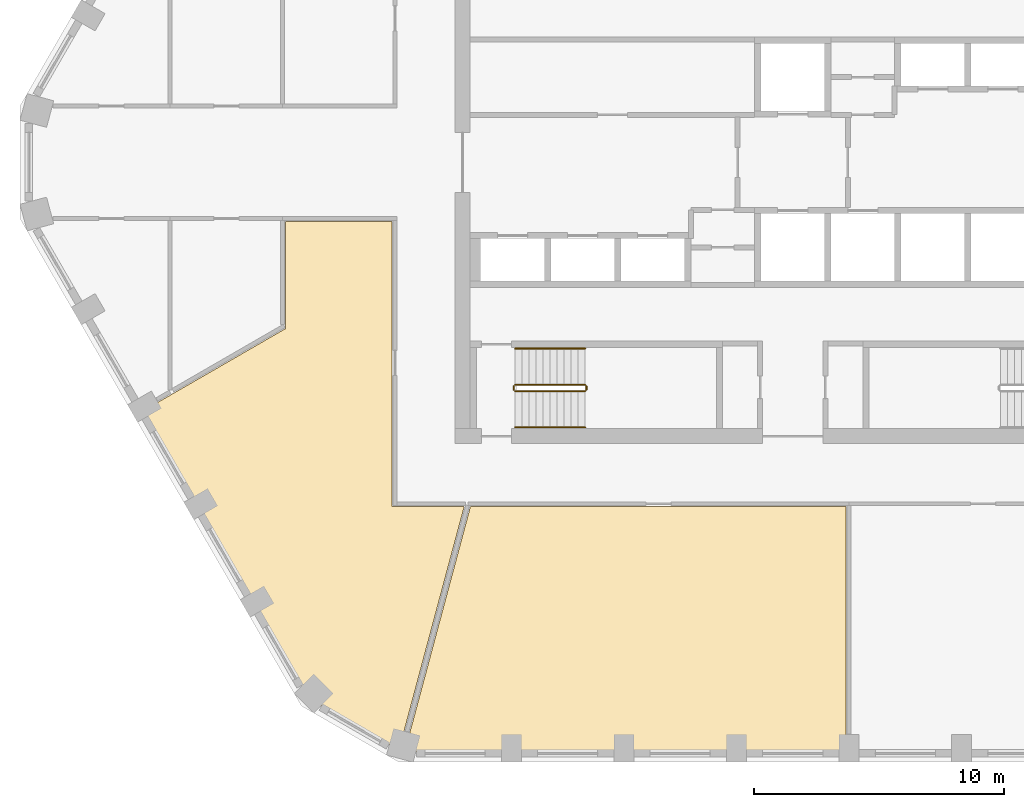
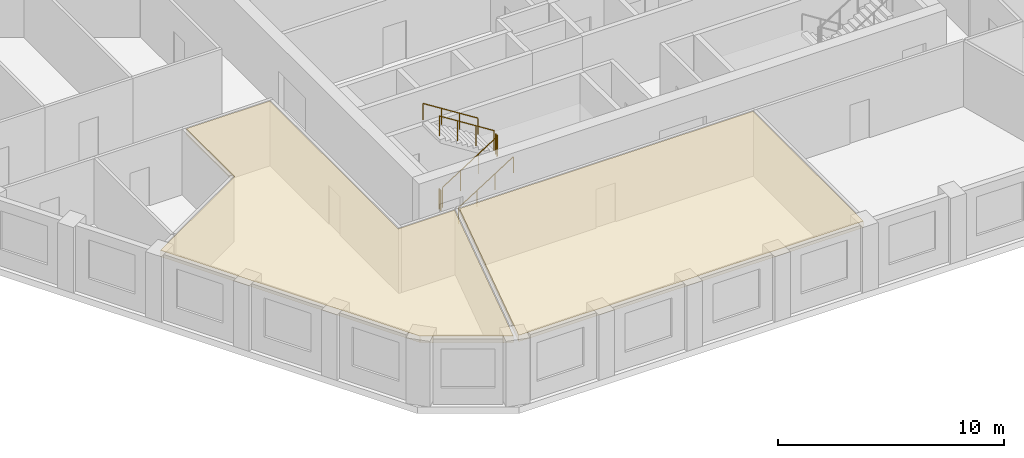
# One storey, part 8 of 11: 6 railings, 2 coverings.
"""IFC4 building model written with IfcOpenShell, lengths in metres."""

from ifc_helpers import new_model, si_unit, direction, frame, origin, origin_2d, place, context, subcontext, project, spatial, polyline, circle, outline, extrude, material, layer, layer_set, type_object, element, save


model = new_model("IFC4")

# Units and contexts
model_context = context("Model", 3, precision=1e-05, world=origin(), true_north=direction((0.0, 1.0)))
body_context = subcontext(model_context, "Body", "Model", "MODEL_VIEW")
ifc_project = project(units=[si_unit("LENGTHUNIT", "METRE"), si_unit("AREAUNIT", "SQUARE_METRE"), si_unit("VOLUMEUNIT", "CUBIC_METRE"), si_unit("PLANEANGLEUNIT", "RADIAN"), si_unit("MASSUNIT", "GRAM", prefix="KILO")], contexts=[model_context])

# Site, building, storey
site_placement = place(None, origin())
site = spatial("IfcSite", under=ifc_project, at=site_placement, CompositionType="ELEMENT")
building_placement = place(site_placement, origin())
building = spatial("IfcBuilding", under=site, at=building_placement, Name="Dhurran Vertical Campus", CompositionType="ELEMENT")
storey_placement = place(building_placement, frame((0.0, 0.0, 211.199951171875)))
storey = spatial("IfcBuildingStorey", under=building, at=storey_placement, Name="L52", CompositionType="ELEMENT", Elevation=211.199951171875)

# Railings
ifc_material_1 = material(Name="Stainless steel balustrade", Category="steel")
railing_type_1 = type_object("IfcRailingType", Name="co-RL-GUARD-1100", PredefinedType="GUARDRAIL", material=ifc_material_1)
railing_1_placement = place(storey_placement, frame((-11.10009765625, -9.14990234375, 0.17724609375)))
element("IfcRailing", 1, at=railing_1_placement, inside=storey, type_object=railing_type_1, Name="L52 ST3 stair guard 1", PredefinedType="GUARDRAIL", context=body_context, shape_type="SweptSolid", body=[
    extrude(circle(Radius=0.02392578125, at=origin_2d()), frame((0.0, 0.0, 1.076171875), z_axis=(0.844908973607, 0.0, 0.534910110503), x_axis=(0.0, 1.0, 0.0)), (0.0, 0.0, 1.0), 3.31396484375),
    extrude(circle(Radius=0.02099609375, at=origin_2d()), origin(), (0.0, 0.0, 1.0), 1.052001953125),
    extrude(circle(Radius=0.02099609375, at=origin_2d()), frame((0.933349609375, 0.0, 0.5908203125)), (0.0, 0.0, 1.0), 1.052001953125),
    extrude(circle(Radius=0.02099609375, at=origin_2d()), frame((1.86669921875, 0.0, 1.181884765625)), (0.0, 0.0, 1.0), 1.052001953125),
    extrude(circle(Radius=0.02099609375, at=origin_2d()), frame((2.800048828125, 0.0, 1.772705078125)), (0.0, 0.0, 1.0), 1.052001953125),
])
railing_2_placement = place(storey_placement, frame((-8.25, -9.10009765625, 1.949951171875)))
element("IfcRailing", 2, at=railing_2_placement, inside=storey, type_object=railing_type_1, Name="L52 ST3 stair guard 2", PredefinedType="GUARDRAIL", context=body_context, shape_type="SweptSolid", body=[
    extrude(circle(Radius=0.02392578125, at=origin_2d()), frame((0.0, 0.0, 1.076171875), z_axis=(0.0, 1.0, 0.0), x_axis=(-1.0, 0.0, 0.0)), (0.0, 0.0, 1.0), 0.150146484375),
    extrude(circle(Radius=0.02099609375, at=origin_2d()), origin(), (0.0, 0.0, 1.0), 1.052001953125),
    extrude(circle(Radius=0.02099609375, at=origin_2d()), frame((0.0, 0.150146484375, 0.0)), (0.0, 0.0, 1.0), 1.052001953125),
])
railing_3_placement = place(storey_placement, frame((-8.300048828125, -8.89990234375, 2.12744140625)))
element("IfcRailing", 3, at=railing_3_placement, inside=storey, type_object=railing_type_1, Name="L52 ST3 stair guard 3", PredefinedType="GUARDRAIL", context=body_context, shape_type="SweptSolid", body=[
    extrude(circle(Radius=0.02392578125, at=origin_2d()), frame((0.0, 0.0, 1.076171875), z_axis=(-0.844908973607, 0.0, 0.534910110503), x_axis=(0.0, -1.0, 0.0)), (0.0, 0.0, 1.0), 3.31396484375),
    extrude(circle(Radius=0.02099609375, at=origin_2d()), origin(), (0.0, 0.0, 1.0), 1.052001953125),
    extrude(circle(Radius=0.02099609375, at=origin_2d()), frame((-0.933349609375, 0.0, 0.5908203125)), (0.0, 0.0, 1.0), 1.052001953125),
    extrude(circle(Radius=0.02099609375, at=origin_2d()), frame((-1.86669921875, 0.0, 1.181884765625)), (0.0, 0.0, 1.0), 1.052001953125),
    extrude(circle(Radius=0.02099609375, at=origin_2d()), frame((-2.800048828125, 0.0, 1.772705078125)), (0.0, 0.0, 1.0), 1.052001953125),
])
railing_4_placement = place(storey_placement, frame((-11.14990234375, -9.10009765625, 0.0)))
element("IfcRailing", 4, at=railing_4_placement, inside=storey, type_object=railing_type_1, Name="L52 ST3 stair guard 4", PredefinedType="GUARDRAIL", context=body_context, shape_type="SweptSolid", body=[
    extrude(circle(Radius=0.02392578125, at=origin_2d()), frame((0.0, 0.0, 1.076171875), z_axis=(0.0, 1.0, 0.0), x_axis=(-1.0, 0.0, 0.0)), (0.0, 0.0, 1.0), 0.150146484375),
    extrude(circle(Radius=0.02099609375, at=origin_2d()), origin(), (0.0, 0.0, 1.0), 1.052001953125),
    extrude(circle(Radius=0.02099609375, at=origin_2d()), frame((0.0, 0.150146484375, 0.0)), (0.0, 0.0, 1.0), 1.052001953125),
])
ifc_material_2 = material(Name="Stainless steel handrail", Category="steel")
railing_type_2 = type_object("IfcRailingType", Name="co-RL-HANDRAIL-900", PredefinedType="HANDRAIL", material=ifc_material_2)
railing_5_placement = place(storey_placement, frame((-11.10009765625, -10.60009765625, 0.17724609375)))
element("IfcRailing", 5, at=railing_5_placement, inside=storey, type_object=railing_type_2, Name="L52 ST3 stair handrail 1", PredefinedType="HANDRAIL", context=body_context, shape_type="SweptSolid", body=[
    extrude(circle(Radius=0.02392578125, at=origin_2d()), frame((0.0, 0.0, 0.8759765625), z_axis=(0.844908973607, 0.0, 0.534910110503), x_axis=(0.0, 1.0, 0.0)), (0.0, 0.0, 1.0), 3.31396484375),
    extrude(circle(Radius=0.02099609375, at=origin_2d()), origin(), (0.0, 0.0, 1.0), 0.851806640625),
    extrude(circle(Radius=0.02099609375, at=origin_2d()), frame((0.933349609375, 0.0, 0.5908203125)), (0.0, 0.0, 1.0), 0.851806640625),
    extrude(circle(Radius=0.02099609375, at=origin_2d()), frame((1.86669921875, 0.0, 1.181884765625)), (0.0, 0.0, 1.0), 0.851806640625),
    extrude(circle(Radius=0.02099609375, at=origin_2d()), frame((2.800048828125, 0.0, 1.772705078125)), (0.0, 0.0, 1.0), 0.851806640625),
])
railing_6_placement = place(storey_placement, frame((-8.300048828125, -7.449951171875, 2.12744140625)))
element("IfcRailing", 6, at=railing_6_placement, inside=storey, type_object=railing_type_2, Name="L52 ST3 stair handrail 2", PredefinedType="HANDRAIL", context=body_context, shape_type="SweptSolid", body=[
    extrude(circle(Radius=0.02392578125, at=origin_2d()), frame((0.0, 0.0, 0.8759765625), z_axis=(-0.844908973607, 0.0, 0.534910110503), x_axis=(0.0, -1.0, 0.0)), (0.0, 0.0, 1.0), 3.31396484375),
    extrude(circle(Radius=0.02099609375, at=origin_2d()), origin(), (0.0, 0.0, 1.0), 0.851806640625),
    extrude(circle(Radius=0.02099609375, at=origin_2d()), frame((-0.933349609375, 0.0, 0.5908203125)), (0.0, 0.0, 1.0), 0.851806640625),
    extrude(circle(Radius=0.02099609375, at=origin_2d()), frame((-1.86669921875, 0.0, 1.181884765625)), (0.0, 0.0, 1.0), 0.851806640625),
    extrude(circle(Radius=0.02099609375, at=origin_2d()), frame((-2.800048828125, 0.0, 1.772705078125)), (0.0, 0.0, 1.0), 0.851806640625),
])

# Coverings
ifc_material_3 = material(Name="Mineral fibre ceiling tiles on suspended grid")
ifc_layer = layer(ifc_material_3, 0.35009765625)
ifc_layer_set = layer_set([ifc_layer], Name="Mineral fibre ceiling tiles on suspended grid")
covering_type = type_object("IfcCoveringType", Name="fl-CE-350 suspended ceiling", PredefinedType="CEILING", material=ifc_layer_set)
covering_1_placement = place(storey_placement, frame((0.0, 0.0, 3.199951171875)))
element("IfcCovering", 7, at=covering_1_placement, inside=storey, type_object=covering_type, Name="Ceiling 52-07", PredefinedType="CEILING", context=body_context, shape_type="SweptSolid", body=[
    extrude(outline(polyline([(-19.339111328125, -21.427978515625), (-25.972900390625, -9.93798828125), (-20.280029296875, -6.65087890625), (-20.280029296875, -2.3701171875), (-16.02001953125, -2.3701171875), (-16.02001953125, -13.77001953125), (-13.136962890625, -13.77001953125), (-15.7451171875, -23.50390625), (-19.339111328125, -21.427978515625)])), origin(), (0.0, 0.0, 1.0), 0.35009765625),
])
covering_2_placement = place(storey_placement, frame((0.0, 0.0, 3.199951171875)))
element("IfcCovering", 8, at=covering_2_placement, inside=storey, type_object=covering_type, Name="Ceiling 52-11", PredefinedType="CEILING", context=body_context, shape_type="SweptSolid", body=[
    extrude(outline(polyline([(2.1298828125, -23.56591796875), (-15.513916015625, -23.56591796875), (-12.888916015625, -13.77001953125), (2.1298828125, -13.77001953125), (2.1298828125, -23.56591796875)])), origin(), (0.0, 0.0, 1.0), 0.35009765625),
])

save(model, "model.ifc")
